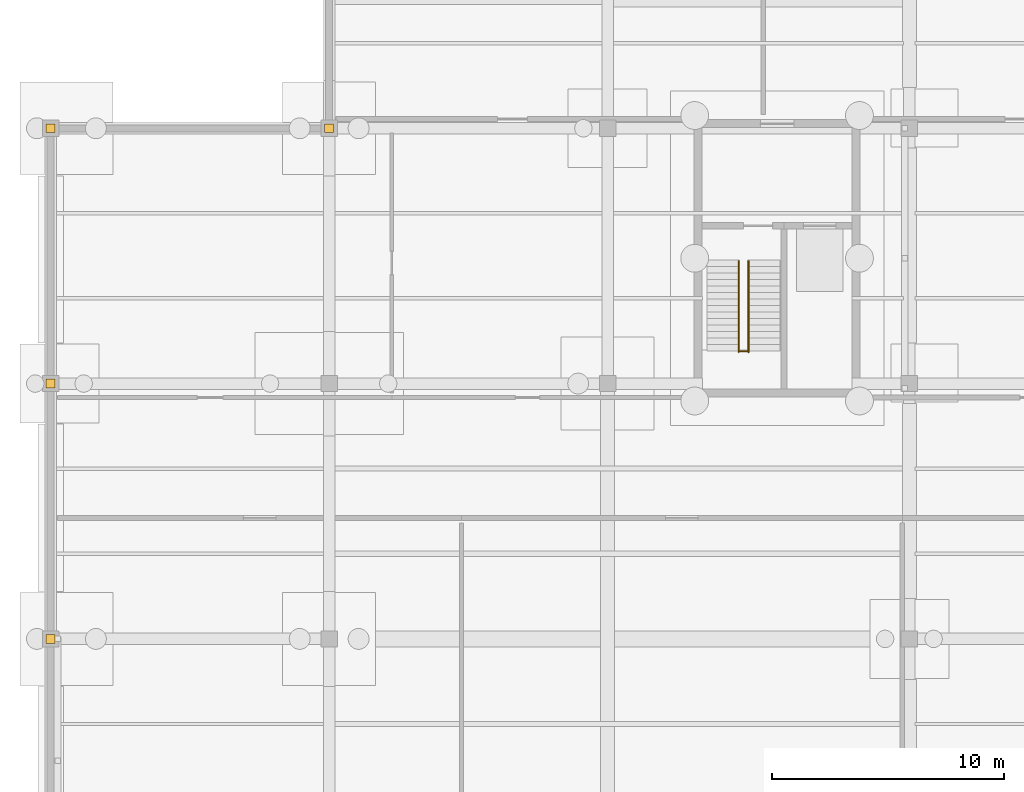
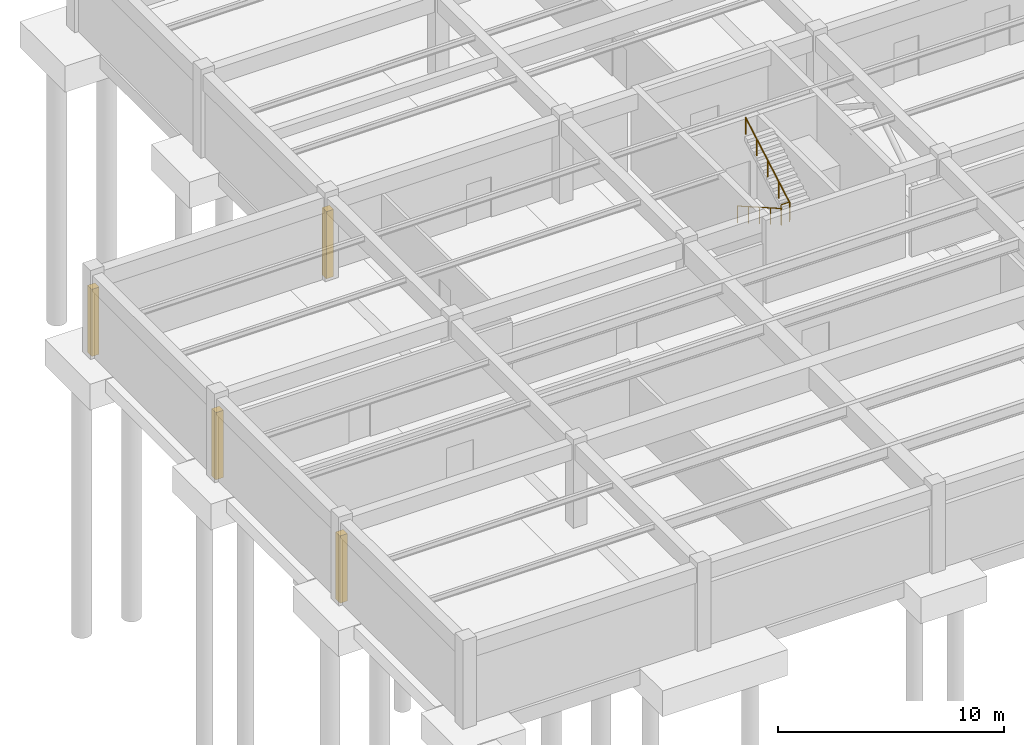
# One storey, part 37 of 42: 4 coverings, 3 railings.
"""IFC4 building model written with IfcOpenShell, lengths in metres."""

from ifc_helpers import new_model, si_unit, direction, frame, origin, origin_2d, place, context, subcontext, project, spatial, rectangle, circle, extrude, material, layer, layer_set, type_object, element, save


model = new_model("IFC4")

# Units and contexts
model_context = context("Model", 3, precision=1e-05, world=origin(), true_north=direction((0.0, 1.0)))
body_context = subcontext(model_context, "Body", "Model", "MODEL_VIEW")
ifc_project = project(units=[si_unit("LENGTHUNIT", "METRE"), si_unit("AREAUNIT", "SQUARE_METRE"), si_unit("VOLUMEUNIT", "CUBIC_METRE"), si_unit("PLANEANGLEUNIT", "RADIAN"), si_unit("MASSUNIT", "GRAM", prefix="KILO")], contexts=[model_context])

# Site, building, storey
site_placement = place(None, origin())
site = spatial("IfcSite", under=ifc_project, at=site_placement, CompositionType="ELEMENT")
building_placement = place(site_placement, origin())
building = spatial("IfcBuilding", under=site, at=building_placement, Name="Tarnveldt Headland Concert Hall", CompositionType="ELEMENT")
storey_placement = place(building_placement, frame((0.0, 0.0, -4.800048828125)))
storey = spatial("IfcBuildingStorey", under=building, at=storey_placement, Name="B1", CompositionType="ELEMENT", Elevation=-4.800048828125)

# Coverings
ifc_material_1 = material(Name="Coral-toned precast concrete C40/50", Category="concrete")
ifc_layer_1 = layer(ifc_material_1, 0.360107421875, Name="Coral-toned precast concrete C40/50", Category="concrete")
ifc_layer_set_1 = layer_set([ifc_layer_1], Name="Coral-toned precast concrete C40/50")
covering_type = type_object("IfcCoveringType", Name="CV-JNT360", PredefinedType="CLADDING", material=ifc_layer_set_1)
for number, where, z_axis, x_axis, name in (
    (1, (7.5, 71.0, 0.0), (0.0, 0.0, 1.0), (0.0, 1.0, 0.0), "Precast facade joint closure pilaster B1-6"),
    (2, (7.5, 82.0, 0.0), (0.0, 0.0, 1.0), (0.0, 1.0, 0.0), "Precast facade joint closure pilaster B1-7"),
    (3, (7.5, 93.0, 0.0), (0.0, 0.0, 1.0), (1.0, 0.0, 0.0), "Precast facade joint closure pilaster B1-8"),
    (4, (19.5, 93.0, 0.0), (0.0, 0.0, 1.0), (0.0, 1.0, 0.0), "Precast facade joint closure pilaster B1-12"),
):
    element("IfcCovering", number, at=place(storey_placement, frame(where, z_axis=z_axis, x_axis=x_axis)), inside=storey, type_object=covering_type, Name=name, PredefinedType="CLADDING", context=body_context, shape_type="SweptSolid", body=[
        extrude(rectangle(XDim=0.3798828125, YDim=0.3798828125, at=origin_2d()), origin(), (0.0, 0.0, 1.0), 3.637939453125),
    ])

# Railings
ifc_material_2 = material(Name="Marine stainless steel", Category="steel")
ifc_layer_2 = layer(ifc_material_2, 0.06005859375, Name="Marine stainless steel", Category="steel")
ifc_layer_set_2 = layer_set([ifc_layer_2], Name="Marine stainless steel")
railing_type_1 = type_object("IfcRailingType", Name="RL-GRD110", PredefinedType="GUARDRAIL", material=ifc_layer_set_2)
railing_1_placement = place(storey_placement, frame((37.14990234375, 83.39990234375, 2.400146484375)))
element("IfcRailing", 5, at=railing_1_placement, inside=storey, type_object=railing_type_1, Name="GUARD STR-C6-B1 half-landing well", PredefinedType="GUARDRAIL", context=body_context, shape_type="SweptSolid", body=[
    extrude(circle(Radius=0.02392578125, at=origin_2d()), frame((0.0, 0.0, 1.076171875), z_axis=(1.0, 0.0, 0.0), x_axis=(0.0, 1.0, 0.0)), (0.0, 0.0, 1.0), 0.420166015625),
    extrude(circle(Radius=0.02099609375, at=origin_2d()), origin(), (0.0, 0.0, 1.0), 1.052001953125),
    extrude(circle(Radius=0.02099609375, at=origin_2d()), frame((0.420166015625, 0.0, 0.0)), (0.0, 0.0, 1.0), 1.052001953125),
])
ifc_layer_3 = layer(ifc_material_2, 0.048095703125, Name="Marine stainless steel", Category="steel")
ifc_layer_set_3 = layer_set([ifc_layer_3], Name="Marine stainless steel")
railing_type_2 = type_object("IfcRailingType", Name="RL-HND092", PredefinedType="HANDRAIL", material=ifc_layer_set_3)
railing_2_placement = place(storey_placement, frame((37.14990234375, 87.280029296875, 0.16015625)))
element("IfcRailing", 6, at=railing_2_placement, inside=storey, type_object=railing_type_2, Name="HANDRAIL STR-C6-B1 flight 1", PredefinedType="HANDRAIL", context=body_context, shape_type="SweptSolid", body=[
    extrude(circle(Radius=0.02392578125, at=origin_2d()), frame((0.0, 0.0, 0.89599609375), z_axis=(0.0, -0.868239814368, 0.496144761885), x_axis=(1.0, 0.0, 0.0)), (0.0, 0.0, 1.0), 4.514892578125),
    extrude(circle(Radius=0.02099609375, at=origin_2d()), origin(), (0.0, 0.0, 1.0), 0.871826171875),
    extrude(circle(Radius=0.02099609375, at=origin_2d()), frame((0.0, -0.97998046875, 0.56005859375)), (0.0, 0.0, 1.0), 0.871826171875),
    extrude(circle(Radius=0.02099609375, at=origin_2d()), frame((0.0, -1.9599609375, 1.1201171875)), (0.0, 0.0, 1.0), 0.871826171875),
    extrude(circle(Radius=0.02099609375, at=origin_2d()), frame((0.0, -2.93994140625, 1.679931640625)), (0.0, 0.0, 1.0), 0.871826171875),
    extrude(circle(Radius=0.02099609375, at=origin_2d()), frame((0.0, -3.919921875, 2.239990234375)), (0.0, 0.0, 1.0), 0.871826171875),
])
railing_3_placement = place(storey_placement, frame((37.570068359375, 83.360107421875, 2.56005859375)))
element("IfcRailing", 7, at=railing_3_placement, inside=storey, type_object=railing_type_2, Name="HANDRAIL STR-C6-B1 flight 2", PredefinedType="HANDRAIL", context=body_context, shape_type="SweptSolid", body=[
    extrude(circle(Radius=0.02392578125, at=origin_2d()), frame((0.0, 0.0, 0.89599609375), z_axis=(0.0, 0.868239814368, 0.496144761885), x_axis=(-1.0, 0.0, 0.0)), (0.0, 0.0, 1.0), 4.514892578125),
    extrude(circle(Radius=0.02099609375, at=origin_2d()), origin(), (0.0, 0.0, 1.0), 0.871826171875),
    extrude(circle(Radius=0.02099609375, at=origin_2d()), frame((0.0, 0.97998046875, 0.56005859375)), (0.0, 0.0, 1.0), 0.871826171875),
    extrude(circle(Radius=0.02099609375, at=origin_2d()), frame((0.0, 1.9599609375, 1.1201171875)), (0.0, 0.0, 1.0), 0.871826171875),
    extrude(circle(Radius=0.02099609375, at=origin_2d()), frame((0.0, 2.93994140625, 1.679931640625)), (0.0, 0.0, 1.0), 0.871826171875),
    extrude(circle(Radius=0.02099609375, at=origin_2d()), frame((0.0, 3.919921875, 2.239990234375)), (0.0, 0.0, 1.0), 0.871826171875),
])

save(model, "model.ifc")
